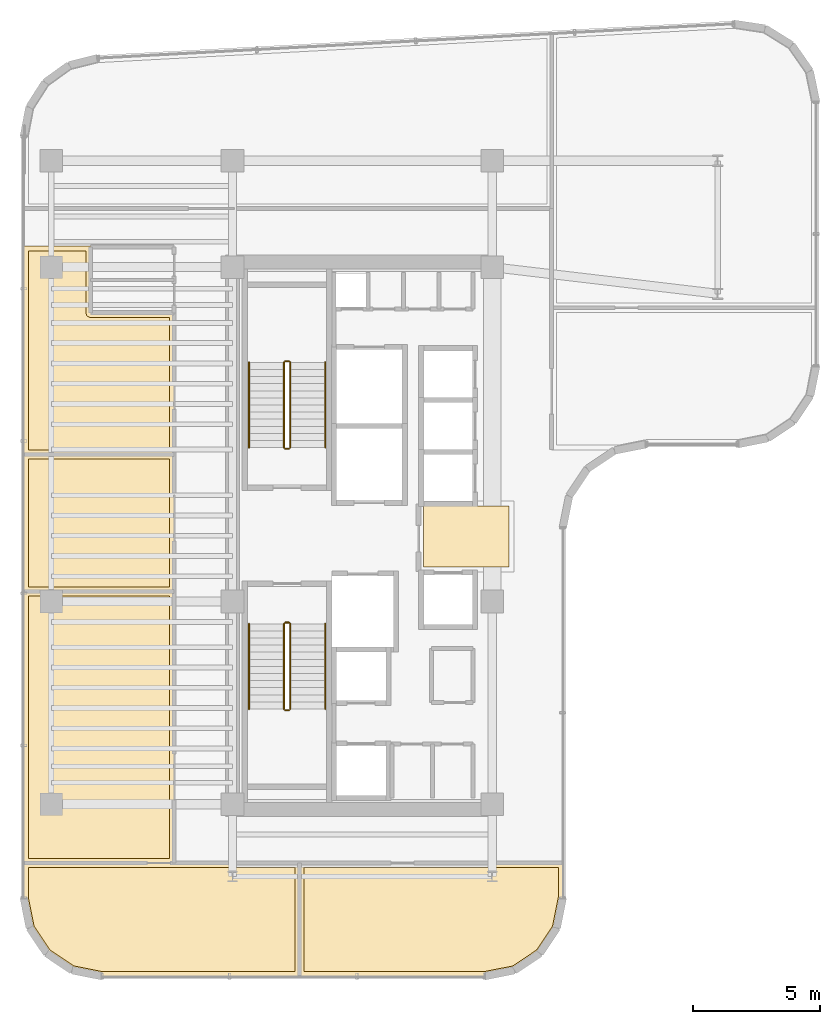
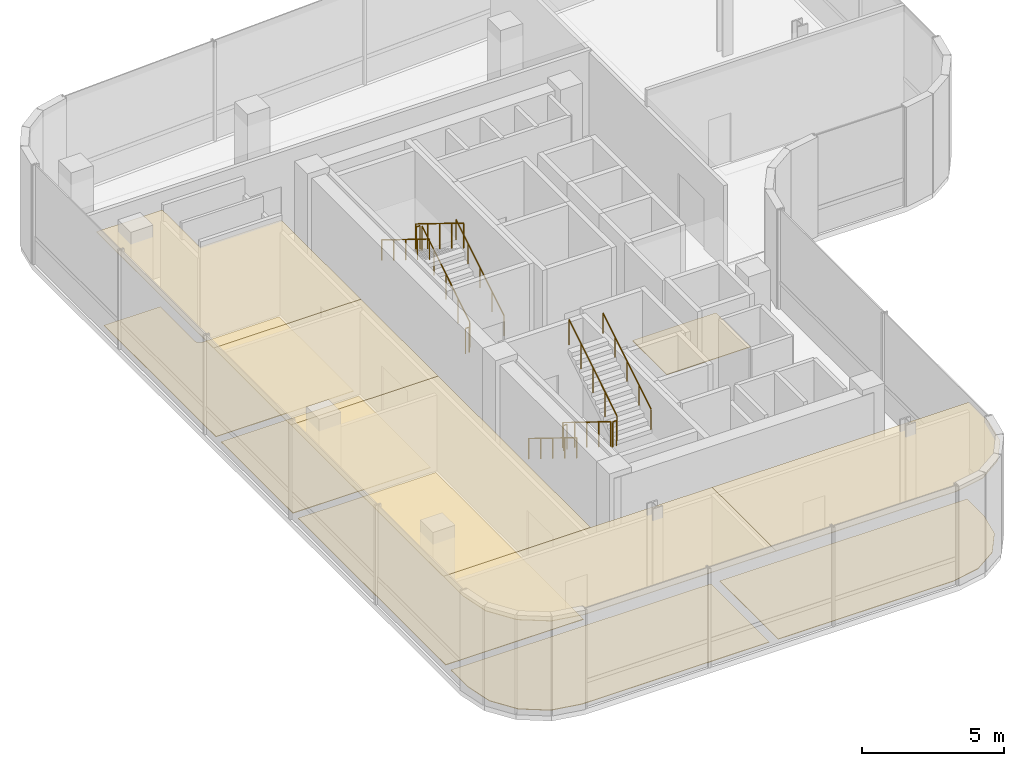
# One storey, part 16 of 17: 12 railings, 11 coverings.
"""IFC4 building model written with IfcOpenShell, lengths in metres."""

import ifcopenshell
import ifcopenshell.guid

model = None  # the IFC model being written
_history = None  # IfcOwnerHistory: only IFC2X3 demands one
_inside = {}  # id of a spatial element -> (the spatial element, [elements in it])
_under = {}  # id of a project, library or spatial element -> (it, [spatial elements below it])
_declared = {}  # id of a project -> (the project, [libraries it declares])
_typed = {}  # id of a type object -> (the type object, [elements of that type])
_made_of = {}  # id of a material, layer set ... -> (it, [elements and type objects made of it])


def new_model(schema):
    """Start an empty IFC model of exactly this schema.

    Asked for "IFC4X3", IfcOpenShell would pick the latest addendum, in which some entities
    have other attributes; the version numbers below select the first issue.
    IFC2X3 requires an IfcOwnerHistory on every rooted entity: one is made here for all.
    """
    global model, _history
    if schema == "IFC4X3":
        model = ifcopenshell.file(schema_version=(4, 3, 0, 0))
    else:
        model = ifcopenshell.file(schema=schema)
    _inside.clear()
    _under.clear()
    _declared.clear()
    _typed.clear()
    _made_of.clear()
    _history = None
    if model.schema == "IFC2X3":
        org = make("IfcOrganization", Name="unknown")
        user = make(
            "IfcPersonAndOrganization",
            ThePerson=make("IfcPerson", FamilyName="unknown"),
            TheOrganization=org,
        )
        app = make(
            "IfcApplication",
            ApplicationDeveloper=org,
            Version="unknown",
            ApplicationFullName="unknown",
            ApplicationIdentifier="unknown",
        )
        _history = make(
            "IfcOwnerHistory",
            OwningUser=user,
            OwningApplication=app,
            ChangeAction="ADDED",
            CreationDate=0,
        )
    return model


def make(cls, **values):
    """One entity of the class cls with the attributes given. An attribute that is None is left unset."""
    return model.create_entity(
        cls, **{name: value for name, value in values.items() if value is not None}
    )


def rooted(cls, **values):
    """An entity with a GlobalId (a new one), such as an element, a storey or a relation."""
    return make(cls, GlobalId=ifcopenshell.guid.new(), OwnerHistory=_history, **values)


def si_unit(unit_type, name, prefix=None):
    """IfcSIUnit, for example si_unit("LENGTHUNIT", "METRE", prefix="MILLI")."""
    return make("IfcSIUnit", UnitType=unit_type, Prefix=prefix, Name=name)


def assignment(units):
    """IfcUnitAssignment: the units of a project."""
    return None if units is None else make("IfcUnitAssignment", Units=units)


def point(xyz):
    """IfcCartesianPoint."""
    return None if xyz is None else make("IfcCartesianPoint", Coordinates=xyz)


def direction(xyz):
    """IfcDirection."""
    return None if xyz is None else make("IfcDirection", DirectionRatios=xyz)


def frame(location, z_axis=None, x_axis=None):
    """IfcAxis2Placement3D, a coordinate frame: its origin and axes. An axis left out is left unset."""
    return make(
        "IfcAxis2Placement3D",
        Location=point(location),
        Axis=direction(z_axis),
        RefDirection=direction(x_axis),
    )


def frame_2d(location, x_axis=None):
    """IfcAxis2Placement2D, a coordinate frame in the plane: its origin and x axis."""
    return make(
        "IfcAxis2Placement2D", Location=point(location), RefDirection=direction(x_axis)
    )


def origin():
    """The frame at (0, 0, 0) with its axes left unset."""
    return frame((0.0, 0.0, 0.0))


def origin_2d():
    """The frame at (0, 0) in the plane with its x axis left unset."""
    return frame_2d((0.0, 0.0))


def place(relative_to, where):
    """IfcLocalPlacement: puts the frame where relative to a parent placement (None: the world)."""
    return make(
        "IfcLocalPlacement", PlacementRelTo=relative_to, RelativePlacement=where
    )


def context(
    kind, dimensions, precision=None, world=None, true_north=None, identifier=None
):
    """IfcGeometricRepresentationContext, for example the 3D "Model" context."""
    return make(
        "IfcGeometricRepresentationContext",
        ContextIdentifier=identifier,
        ContextType=kind,
        CoordinateSpaceDimension=dimensions,
        Precision=precision,
        WorldCoordinateSystem=world,
        TrueNorth=true_north,
    )


def subcontext(parent, identifier, kind, view, scale=None):
    """IfcGeometricRepresentationSubContext, for example "Body" below "Model"."""
    return make(
        "IfcGeometricRepresentationSubContext",
        ContextIdentifier=identifier,
        ContextType=kind,
        ParentContext=parent,
        TargetScale=scale,
        TargetView=view,
    )


def project(units=None, contexts=None):
    """IfcProject with its units and contexts."""
    return rooted(
        "IfcProject",
        Name="project",
        RepresentationContexts=contexts,
        UnitsInContext=assignment(units),
    )


def spatial(cls, under=None, at=None, **own):
    """A site, building, storey or space (cls), placed at a placement, below another one or the project."""
    s = rooted(cls, ObjectPlacement=at, **own)
    if under is not None:
        _under.setdefault(under.id(), (under, []))[1].append(s)
    return s


def polyline(points):
    """IfcPolyline through the points."""
    return make("IfcPolyline", Points=[point(p) for p in points])


def profile(cls, at=None, kind="AREA", **sizes):
    """A parametric profile (cls). Its sizes go by their IFC names, for example OverallWidth=200.0."""
    return make(cls, ProfileType=kind, Position=at, **sizes)


def circle(**sizes):
    """IfcCircleProfileDef."""
    return profile("IfcCircleProfileDef", **sizes)


def outline(outer, holes=None, kind="AREA"):
    """IfcArbitraryClosedProfileDef: a profile drawn as a closed curve; with holes, ...WithVoids."""
    if holes is None:
        return make("IfcArbitraryClosedProfileDef", ProfileType=kind, OuterCurve=outer)
    return make(
        "IfcArbitraryProfileDefWithVoids",
        ProfileType=kind,
        OuterCurve=outer,
        InnerCurves=holes,
    )


def extrude(swept, where, along, depth):
    """IfcExtrudedAreaSolid: the profile swept, set in the frame where, extruded along a direction by depth."""
    return make(
        "IfcExtrudedAreaSolid",
        SweptArea=swept,
        Position=where,
        ExtrudedDirection=direction(along),
        Depth=depth,
    )


def shape(context_of_items, identifier, shape_type, items):
    """IfcShapeRepresentation: the items that make up one representation, for example the "Body"."""
    return make(
        "IfcShapeRepresentation",
        ContextOfItems=context_of_items,
        RepresentationIdentifier=identifier,
        RepresentationType=shape_type,
        Items=items,
    )


def material(Name=None, Category=None):
    """IfcMaterial."""
    return make("IfcMaterial", Name=Name, Category=Category)


def layer(
    of_material, thickness, ventilated=None, Name=None, Category=None, Priority=None
):
    """IfcMaterialLayer: one layer of a wall or slab, of a material (None: an air gap)."""
    return make(
        "IfcMaterialLayer",
        Material=of_material,
        LayerThickness=thickness,
        IsVentilated=ventilated,
        Name=Name,
        Category=Category,
        Priority=Priority,
    )


def layer_set(layers, Name=None):
    """IfcMaterialLayerSet."""
    return make("IfcMaterialLayerSet", MaterialLayers=layers, LayerSetName=Name)


def made_of(thing, what):
    """Note that an element or type object is made of a material, layer set ...; save() writes the relation."""
    if what is not None:
        _made_of.setdefault(what.id(), (what, []))[1].append(thing)
    return thing


def type_object(cls, material=None, **own):
    """A type object (cls), such as IfcWallType, which elements share."""
    return made_of(rooted(cls, **own), material)


def element(
    cls,
    number,
    at=None,
    inside=None,
    cuts=None,
    type_object=None,
    material=None,
    context=None,
    identifier="Body",
    shape_type=None,
    held_by="IfcProductDefinitionShape",
    body=None,
    shapes=None,
    **own,
):
    """One element of the class cls, such as IfcWall. Its Tag is "e" and its number.

    at: its placement. inside: the storey or other place that contains it. cuts: it is an
    opening in that element (IfcRelVoidsElement). A single representation is given by context,
    identifier, shape_type and body (its items); several are given by shapes. held_by: the class
    of the entity that holds the representations. save() writes the other relations.
    """
    e = rooted(cls, Tag="e%d" % number, ObjectPlacement=at, **own)
    if body is not None:
        shapes = [shape(context, identifier, shape_type, body)]
    if shapes is not None:
        e.Representation = make(held_by, Representations=shapes)
    if inside is not None:
        _inside.setdefault(inside.id(), (inside, []))[1].append(e)
    if cuts is not None:
        rooted(
            "IfcRelVoidsElement", RelatingBuildingElement=cuts, RelatedOpeningElement=e
        )
    if type_object is not None:
        _typed.setdefault(type_object.id(), (type_object, []))[1].append(e)
    return made_of(e, material)


def aggregate(whole, parts):
    """IfcRelAggregates: a whole, such as a stair, and the parts it consists of."""
    return rooted("IfcRelAggregates", RelatingObject=whole, RelatedObjects=parts)


def save(model, path):
    """Write the relations noted so far, then the file.

    IfcRelAggregates (storeys below a building ...), IfcRelContainedInSpatialStructure (elements
    in a storey), IfcRelDefinesByType, IfcRelAssociatesMaterial and IfcRelDeclares: one each for
    every whole, place, type object, material and project.
    """
    for whole, parts in _under.values():
        aggregate(whole, parts)
    for where, things in _inside.values():
        rooted(
            "IfcRelContainedInSpatialStructure",
            RelatedElements=things,
            RelatingStructure=where,
        )
    for kind, things in _typed.values():
        rooted("IfcRelDefinesByType", RelatedObjects=things, RelatingType=kind)
    for what, things in _made_of.values():
        rooted("IfcRelAssociatesMaterial", RelatedObjects=things, RelatingMaterial=what)
    for by, libraries in _declared.values():
        rooted("IfcRelDeclares", RelatingContext=by, RelatedDefinitions=libraries)
    model.write(path)


model = new_model("IFC4")

# Units and contexts
model_context = context("Model", 3, precision=1e-05, world=origin(), true_north=direction((0.0, 1.0)))
body_context = subcontext(model_context, "Body", "Model", "MODEL_VIEW")
ifc_project = project(units=[si_unit("LENGTHUNIT", "METRE"), si_unit("AREAUNIT", "SQUARE_METRE"), si_unit("VOLUMEUNIT", "CUBIC_METRE"), si_unit("PLANEANGLEUNIT", "RADIAN"), si_unit("MASSUNIT", "GRAM", prefix="KILO")], contexts=[model_context])

# Site, building, storey
site_placement = place(None, origin())
site = spatial("IfcSite", under=ifc_project, at=site_placement, CompositionType="ELEMENT")
building_placement = place(site_placement, origin())
building = spatial("IfcBuilding", under=site, at=building_placement, Name="Valdorenza Pilgrim Sanctuary Tower", CompositionType="ELEMENT")
storey_placement = place(building_placement, frame((0.0, 0.0, 201.0)))
storey = spatial("IfcBuildingStorey", under=building, at=storey_placement, Name="L51", CompositionType="ELEMENT", Elevation=201.0)

# Coverings
ifc_material_1 = material(Name="Micro-perforated acoustic mineral ceiling tile", Category="gypsum")
ifc_layer_1 = layer(ifc_material_1, 0.02490234375, Name="Micro-perforated acoustic mineral ceiling tile")
ifc_layer_set_1 = layer_set([ifc_layer_1], Name="Micro-perforated acoustic mineral ceiling tile")
covering_type_1 = type_object("IfcCoveringType", Name="COV-CLG-ACU", PredefinedType="CEILING", material=ifc_layer_set_1)
covering_1_placement = place(storey_placement, frame((0.0, 0.0, 3.9599609375)))
element("IfcCovering", 1, at=covering_1_placement, inside=storey, type_object=covering_type_1, Name="L51 L51 Sky Lobby Lounge Acoustic Ceiling", PredefinedType="CEILING", context=body_context, shape_type="SweptSolid", body=[
    extrude(outline(polyline([(-24.93505859375, -12.919921875), (-24.93505859375, -12.92138671875), (-24.935302734375, -12.9228515625), (-24.935546875, -12.92431640625), (-24.93603515625, -12.92578125), (-24.936767578125, -12.927001953125), (-24.9375, -12.92822265625), (-24.9384765625, -12.929443359375), (-24.939453125, -12.9306640625), (-24.9404296875, -12.931640625), (-24.941650390625, -12.9326171875), (-24.94287109375, -12.93310546875), (-24.9443359375, -12.933837890625), (-24.945556640625, -12.934326171875), (-24.947021484375, -12.934814453125), (-24.948486328125, -12.934814453125), (-24.949951171875, -12.93505859375), (-30.889892578125, -12.93505859375), (-30.8916015625, -12.934814453125), (-30.892822265625, -12.934814453125), (-30.894287109375, -12.934326171875), (-30.895751953125, -12.933837890625), (-30.897216796875, -12.93310546875), (-30.898193359375, -12.9326171875), (-30.8994140625, -12.931640625), (-30.900634765625, -12.9306640625), (-30.901611328125, -12.929443359375), (-30.902587890625, -12.92822265625), (-30.9033203125, -12.927001953125), (-30.90380859375, -12.92578125), (-30.904296875, -12.92431640625), (-30.90478515625, -12.9228515625), (-30.90478515625, -12.92138671875), (-30.905029296875, -12.919921875), (-30.905029296875, -2.199951171875), (-30.90478515625, -2.198486328125), (-30.90478515625, -2.197021484375), (-30.904296875, -2.195556640625), (-30.90380859375, -2.1943359375), (-30.9033203125, -2.19287109375), (-30.902587890625, -2.191650390625), (-30.901611328125, -2.1904296875), (-30.900634765625, -2.189453125), (-30.8994140625, -2.1884765625), (-30.898193359375, -2.1875), (-30.897216796875, -2.186767578125), (-30.895751953125, -2.18603515625), (-30.894287109375, -2.185546875), (-30.892822265625, -2.185302734375), (-30.8916015625, -2.18505859375), (-30.889892578125, -2.18505859375), (-24.949951171875, -2.18505859375), (-24.948486328125, -2.18505859375), (-24.947021484375, -2.185302734375), (-24.945556640625, -2.185546875), (-24.9443359375, -2.18603515625), (-24.94287109375, -2.186767578125), (-24.941650390625, -2.1875), (-24.9404296875, -2.1884765625), (-24.939453125, -2.189453125), (-24.9384765625, -2.1904296875), (-24.9375, -2.191650390625), (-24.936767578125, -2.19287109375), (-24.93603515625, -2.1943359375), (-24.935546875, -2.195556640625), (-24.935302734375, -2.197021484375), (-24.93505859375, -2.198486328125), (-24.93505859375, -2.199951171875), (-24.93505859375, -12.919921875)])), origin(), (0.0, 0.0, 1.0), 0.025146484375),
])
covering_2_placement = place(storey_placement, frame((0.0, 0.0, 3.9599609375)))
element("IfcCovering", 2, at=covering_2_placement, inside=storey, type_object=covering_type_1, Name="L51 Sacred Archive Reading Library Acoustic Ceiling", PredefinedType="CEILING", context=body_context, shape_type="SweptSolid", body=[
    extrude(outline(polyline([(-24.93505859375, -2.197998046875), (-24.93505859375, -2.199462890625), (-24.935302734375, -2.200927734375), (-24.935546875, -2.202392578125), (-24.93603515625, -2.20361328125), (-24.936767578125, -2.205078125), (-24.9375, -2.206298828125), (-24.9384765625, -2.20751953125), (-24.939453125, -2.20849609375), (-24.9404296875, -2.209716796875), (-24.941650390625, -2.21044921875), (-24.94287109375, -2.211181640625), (-24.9443359375, -2.2119140625), (-24.945556640625, -2.21240234375), (-24.947021484375, -2.212646484375), (-24.948486328125, -2.212890625), (-24.949951171875, -2.212890625), (-30.889892578125, -2.212890625), (-30.8916015625, -2.212890625), (-30.892822265625, -2.212646484375), (-30.894287109375, -2.21240234375), (-30.895751953125, -2.2119140625), (-30.897216796875, -2.211181640625), (-30.898193359375, -2.21044921875), (-30.8994140625, -2.209716796875), (-30.900634765625, -2.20849609375), (-30.901611328125, -2.20751953125), (-30.902587890625, -2.206298828125), (-30.9033203125, -2.205078125), (-30.90380859375, -2.20361328125), (-30.904296875, -2.202392578125), (-30.90478515625, -2.200927734375), (-30.90478515625, -2.199462890625), (-30.905029296875, -2.197998046875), (-30.905029296875, 3.199951171875), (-30.90478515625, 3.201416015625), (-30.90478515625, 3.202880859375), (-30.904296875, 3.204345703125), (-30.90380859375, 3.205810546875), (-30.9033203125, 3.20703125), (-30.902587890625, 3.208251953125), (-30.901611328125, 3.20947265625), (-30.900634765625, 3.210693359375), (-30.8994140625, 3.211669921875), (-30.898193359375, 3.21240234375), (-30.897216796875, 3.213134765625), (-30.895751953125, 3.2138671875), (-30.894287109375, 3.21435546875), (-30.892822265625, 3.214599609375), (-30.8916015625, 3.21484375), (-30.889892578125, 3.215087890625), (-24.949951171875, 3.215087890625), (-24.948486328125, 3.21484375), (-24.947021484375, 3.214599609375), (-24.945556640625, 3.21435546875), (-24.9443359375, 3.2138671875), (-24.94287109375, 3.213134765625), (-24.941650390625, 3.21240234375), (-24.9404296875, 3.211669921875), (-24.939453125, 3.210693359375), (-24.9384765625, 3.20947265625), (-24.9375, 3.208251953125), (-24.936767578125, 3.20703125), (-24.93603515625, 3.205810546875), (-24.935546875, 3.204345703125), (-24.935302734375, 3.202880859375), (-24.93505859375, 3.201416015625), (-24.93505859375, 3.199951171875), (-24.93505859375, -2.197998046875)])), origin(), (0.0, 0.0, 1.0), 0.025146484375),
])
covering_3_placement = place(storey_placement, frame((0.0, 0.0, 3.9599609375)))
element("IfcCovering", 3, at=covering_3_placement, inside=storey, type_object=covering_type_1, Name="L51 Sky Concierge Hospitality Office Acoustic Ceiling", PredefinedType="CEILING", context=body_context, shape_type="SweptSolid", body=[
    extrude(outline(polyline([(-28.237060546875, 8.81298828125), (-24.949951171875, 8.81298828125), (-24.948486328125, 8.81298828125), (-24.947021484375, 8.812744140625), (-24.945556640625, 8.8125), (-24.9443359375, 8.81201171875), (-24.94287109375, 8.811279296875), (-24.941650390625, 8.810546875), (-24.9404296875, 8.8095703125), (-24.939453125, 8.80859375), (-24.9384765625, 8.8076171875), (-24.9375, 8.806396484375), (-24.936767578125, 8.80517578125), (-24.93603515625, 8.8037109375), (-24.935546875, 8.802490234375), (-24.935302734375, 8.80078125), (-24.93505859375, 8.799560546875), (-24.93505859375, 8.798095703125), (-24.93505859375, 3.201904296875), (-24.93505859375, 3.200439453125), (-24.935302734375, 3.19921875), (-24.935546875, 3.197509765625), (-24.93603515625, 3.1962890625), (-24.936767578125, 3.19482421875), (-24.9375, 3.193603515625), (-24.9384765625, 3.1923828125), (-24.939453125, 3.19140625), (-24.9404296875, 3.1904296875), (-24.941650390625, 3.189453125), (-24.94287109375, 3.188720703125), (-24.9443359375, 3.18798828125), (-24.945556640625, 3.1875), (-24.947021484375, 3.187255859375), (-24.948486328125, 3.18701171875), (-24.949951171875, 3.18701171875), (-30.889892578125, 3.18701171875), (-30.8916015625, 3.18701171875), (-30.892822265625, 3.187255859375), (-30.894287109375, 3.1875), (-30.895751953125, 3.18798828125), (-30.897216796875, 3.188720703125), (-30.898193359375, 3.189453125), (-30.8994140625, 3.1904296875), (-30.900634765625, 3.19140625), (-30.901611328125, 3.1923828125), (-30.902587890625, 3.193603515625), (-30.9033203125, 3.19482421875), (-30.90380859375, 3.1962890625), (-30.904296875, 3.197509765625), (-30.90478515625, 3.19921875), (-30.90478515625, 3.200439453125), (-30.905029296875, 3.201904296875), (-30.905029296875, 11.419921875), (-30.90478515625, 11.42138671875), (-30.90478515625, 11.4228515625), (-30.904296875, 11.42431640625), (-30.90380859375, 11.42578125), (-30.9033203125, 11.427001953125), (-30.902587890625, 11.42822265625), (-30.901611328125, 11.429443359375), (-30.900634765625, 11.4306640625), (-30.8994140625, 11.431640625), (-30.898193359375, 11.4326171875), (-30.897216796875, 11.43310546875), (-30.895751953125, 11.433837890625), (-30.894287109375, 11.434326171875), (-30.892822265625, 11.434814453125), (-30.8916015625, 11.434814453125), (-30.889892578125, 11.43505859375), (-28.25, 11.43505859375), (-28.24853515625, 11.434814453125), (-28.2470703125, 11.434814453125), (-28.24560546875, 11.434326171875), (-28.244384765625, 11.433837890625), (-28.242919921875, 11.43310546875), (-28.24169921875, 11.4326171875), (-28.240478515625, 11.431640625), (-28.239501953125, 11.4306640625), (-28.23828125, 11.429443359375), (-28.237548828125, 11.42822265625), (-28.23681640625, 11.427001953125), (-28.236083984375, 11.42578125), (-28.235595703125, 11.42431640625), (-28.2353515625, 11.4228515625), (-28.235107421875, 11.42138671875), (-28.235107421875, 11.419921875), (-28.235107421875, 11.402099609375), (-28.235107421875, 11.400390625), (-28.2353515625, 11.39892578125), (-28.235595703125, 11.3974609375), (-28.236083984375, 11.39599609375), (-28.23681640625, 11.394775390625), (-28.237060546875, 11.39453125), (-28.237060546875, 10.103759765625), (-28.23681640625, 10.10302734375), (-28.23681640625, 10.1015625), (-28.23681640625, 10.10009765625), (-28.23681640625, 10.098388671875), (-28.237060546875, 10.09814453125), (-28.237060546875, 8.81298828125)])), origin(), (0.0, 0.0, 1.0), 0.025146484375),
])
covering_4_placement = place(storey_placement, frame((0.0, 0.0, 3.9599609375)))
element("IfcCovering", 4, at=covering_4_placement, inside=storey, type_object=covering_type_1, Name="L51 South Panoramic Viewing Salon Acoustic Ceiling", PredefinedType="CEILING", context=body_context, shape_type="SweptSolid", body=[
    extrude(outline(polyline([(-24.955322265625, -12.906982421875), (-24.954833984375, -12.90673828125), (-24.95361328125, -12.906005859375), (-24.9521484375, -12.905517578125), (-24.95068359375, -12.9052734375), (-24.949462890625, -12.905029296875), (-24.947998046875, -12.905029296875), (-20.0, -12.905029296875), (-19.99853515625, -12.905029296875), (-19.9970703125, -12.9052734375), (-19.99560546875, -12.905517578125), (-19.994384765625, -12.906005859375), (-19.992919921875, -12.90673828125), (-19.99169921875, -12.907470703125), (-19.990478515625, -12.908447265625), (-19.989501953125, -12.909423828125), (-19.98828125, -12.910400390625), (-19.987548828125, -12.91162109375), (-19.98681640625, -12.912841796875), (-19.986083984375, -12.914306640625), (-19.985595703125, -12.91552734375), (-19.9853515625, -12.9169921875), (-19.985107421875, -12.91845703125), (-19.985107421875, -12.919921875), (-19.985107421875, -17.389892578125), (-19.985107421875, -17.3916015625), (-19.9853515625, -17.392822265625), (-19.985595703125, -17.394287109375), (-19.986083984375, -17.395751953125), (-19.98681640625, -17.397216796875), (-19.987548828125, -17.398193359375), (-19.98828125, -17.3994140625), (-19.989501953125, -17.400634765625), (-19.990478515625, -17.401611328125), (-19.99169921875, -17.402587890625), (-19.992919921875, -17.4033203125), (-19.994384765625, -17.40380859375), (-19.99560546875, -17.404296875), (-19.9970703125, -17.40478515625), (-19.99853515625, -17.40478515625), (-20.0, -17.405029296875), (-27.789306640625, -17.405029296875), (-27.79052734375, -17.40478515625), (-27.7919921875, -17.40478515625), (-28.984619140625, -17.16748046875), (-28.986083984375, -17.1669921875), (-28.9873046875, -17.16650390625), (-28.98876953125, -17.166015625), (-28.989990234375, -17.165283203125), (-29.99169921875, -16.495849609375), (-29.992919921875, -16.4951171875), (-29.993896484375, -16.493896484375), (-29.9951171875, -16.492919921875), (-29.995849609375, -16.49169921875), (-30.665283203125, -15.489990234375), (-30.666015625, -15.48876953125), (-30.66650390625, -15.4873046875), (-30.6669921875, -15.486083984375), (-30.66748046875, -15.484619140625), (-30.90478515625, -14.2919921875), (-30.90478515625, -14.29052734375), (-30.905029296875, -14.289306640625), (-30.905029296875, -12.922119140625), (-30.90478515625, -12.92041015625), (-30.90478515625, -12.919189453125), (-30.904296875, -12.91748046875), (-30.90380859375, -12.916259765625), (-30.9033203125, -12.914794921875), (-30.902587890625, -12.913818359375), (-30.901611328125, -12.91259765625), (-30.900634765625, -12.911376953125), (-30.8994140625, -12.910400390625), (-30.898193359375, -12.909423828125), (-30.897216796875, -12.90869140625), (-30.895751953125, -12.908203125), (-30.894287109375, -12.90771484375), (-30.892822265625, -12.9072265625), (-30.8916015625, -12.906982421875), (-30.889892578125, -12.906982421875), (-24.955322265625, -12.906982421875)])), origin(), (0.0, 0.0, 1.0), 0.025146484375),
])
covering_5_placement = place(storey_placement, frame((0.0, 0.0, 3.9599609375)))
element("IfcCovering", 5, at=covering_5_placement, inside=storey, type_object=covering_type_1, Name="L51 South Contemplation Lounge Acoustic Ceiling", PredefinedType="CEILING", context=body_context, shape_type="SweptSolid", body=[
    extrude(outline(polyline([(-9.610107421875, -12.905029296875), (-9.6083984375, -12.905029296875), (-9.607177734375, -12.9052734375), (-9.605712890625, -12.905517578125), (-9.604248046875, -12.906005859375), (-9.602783203125, -12.90673828125), (-9.601806640625, -12.907470703125), (-9.6005859375, -12.908447265625), (-9.599365234375, -12.909423828125), (-9.598388671875, -12.910400390625), (-9.597412109375, -12.91162109375), (-9.5966796875, -12.912841796875), (-9.59619140625, -12.914306640625), (-9.595703125, -12.91552734375), (-9.59521484375, -12.9169921875), (-9.59521484375, -12.91845703125), (-9.594970703125, -12.919921875), (-9.594970703125, -14.289306640625), (-9.59521484375, -14.29052734375), (-9.59521484375, -14.2919921875), (-9.83251953125, -15.484619140625), (-9.8330078125, -15.486083984375), (-9.83349609375, -15.4873046875), (-9.833984375, -15.48876953125), (-9.834716796875, -15.489990234375), (-10.504150390625, -16.49169921875), (-10.5048828125, -16.492919921875), (-10.506103515625, -16.493896484375), (-10.507080078125, -16.4951171875), (-10.50830078125, -16.495849609375), (-11.510009765625, -17.165283203125), (-11.51123046875, -17.166015625), (-11.5126953125, -17.16650390625), (-11.513916015625, -17.1669921875), (-11.515380859375, -17.16748046875), (-12.7080078125, -17.40478515625), (-12.70947265625, -17.40478515625), (-12.710693359375, -17.405029296875), (-19.998046875, -17.405029296875), (-19.99951171875, -17.40478515625), (-20.0009765625, -17.40478515625), (-20.00244140625, -17.404296875), (-20.003662109375, -17.40380859375), (-20.005126953125, -17.4033203125), (-20.00634765625, -17.402587890625), (-20.007568359375, -17.401611328125), (-20.008544921875, -17.400634765625), (-20.009521484375, -17.3994140625), (-20.010498046875, -17.398193359375), (-20.01123046875, -17.397216796875), (-20.011962890625, -17.395751953125), (-20.012451171875, -17.394287109375), (-20.0126953125, -17.392822265625), (-20.012939453125, -17.3916015625), (-20.012939453125, -17.389892578125), (-20.012939453125, -12.919921875), (-20.012939453125, -12.91845703125), (-20.0126953125, -12.9169921875), (-20.012451171875, -12.91552734375), (-20.011962890625, -12.914306640625), (-20.01123046875, -12.912841796875), (-20.010498046875, -12.91162109375), (-20.009521484375, -12.910400390625), (-20.008544921875, -12.909423828125), (-20.007568359375, -12.908447265625), (-20.00634765625, -12.907470703125), (-20.005126953125, -12.90673828125), (-20.003662109375, -12.906005859375), (-20.00244140625, -12.905517578125), (-20.0009765625, -12.9052734375), (-19.99951171875, -12.905029296875), (-19.998046875, -12.905029296875), (-9.610107421875, -12.905029296875)])), origin(), (0.0, 0.0, 1.0), 0.025146484375),
])
ifc_material_2 = material(Name="Honed travertine stone flooring", Category="masonry")
ifc_layer_2 = layer(ifc_material_2, 0.030029296875, Name="Honed travertine stone flooring")
ifc_layer_set_2 = layer_set([ifc_layer_2], Name="Honed travertine stone flooring")
covering_type_2 = type_object("IfcCoveringType", Name="COV-FLR-TRV", PredefinedType="FLOORING", material=ifc_layer_set_2)
covering_6_placement = place(storey_placement, origin())
element("IfcCovering", 6, at=covering_6_placement, inside=storey, type_object=covering_type_2, Name="L51 Core A Passenger Lift Lobby Flooring", PredefinedType="FLOORING", context=body_context, shape_type="SweptSolid", body=[
    extrude(outline(polyline([(-15.117919921875, 1.169189453125), (-15.10888671875, 1.168212890625), (-15.10888671875, 1.168212890625), (-15.10009765625, 1.16796875), (-13.179931640625, 1.16796875), (-13.1796875, 1.16796875), (-11.72998046875, 1.169921875), (-11.72998046875, -1.239990234375), (-15.117919921875, -1.239990234375), (-15.117919921875, 1.169189453125)])), origin(), (0.0, 0.0, 1.0), 0.02490234375),
])
covering_7_placement = place(storey_placement, origin())
element("IfcCovering", 7, at=covering_7_placement, inside=storey, type_object=covering_type_2, Name="L51 L51 Sky Lobby Lounge Flooring", PredefinedType="FLOORING", context=body_context, shape_type="SweptSolid", body=[
    extrude(outline(polyline([(-25.1298828125, -12.739990234375), (-30.7099609375, -12.739990234375), (-30.7099609375, -2.3798828125), (-25.1298828125, -2.3798828125), (-25.1298828125, -12.739990234375)])), origin(), (0.0, 0.0, 1.0), 0.02490234375),
])
covering_8_placement = place(storey_placement, origin())
element("IfcCovering", 8, at=covering_8_placement, inside=storey, type_object=covering_type_2, Name="L51 Sacred Archive Reading Library Flooring", PredefinedType="FLOORING", context=body_context, shape_type="SweptSolid", body=[
    extrude(outline(polyline([(-25.1298828125, -2.01806640625), (-30.7099609375, -2.01806640625), (-30.7099609375, 3.02001953125), (-25.1298828125, 3.02001953125), (-25.1298828125, -2.01806640625)])), origin(), (0.0, 0.0, 1.0), 0.02490234375),
])
covering_9_placement = place(storey_placement, origin())
element("IfcCovering", 9, at=covering_9_placement, inside=storey, type_object=covering_type_2, Name="L51 Sky Concierge Hospitality Office Flooring", PredefinedType="FLOORING", context=body_context, shape_type="SweptSolid", body=[
    extrude(outline(polyline([(-28.431884765625, 11.239990234375), (-28.431884765625, 10.10205078125), (-28.431884765625, 10.10107421875), (-28.431884765625, 10.100341796875), (-28.431884765625, 10.10009765625), (-28.431884765625, 8.800048828125), (-28.431884765625, 8.791259765625), (-28.431884765625, 8.791015625), (-28.429931640625, 8.7734375), (-28.429931640625, 8.773193359375), (-28.426513671875, 8.755859375), (-28.426513671875, 8.755615234375), (-28.42138671875, 8.73876953125), (-28.42138671875, 8.738525390625), (-28.41455078125, 8.722412109375), (-28.41455078125, 8.72216796875), (-28.40625, 8.70654296875), (-28.406005859375, 8.706298828125), (-28.396240234375, 8.691650390625), (-28.39599609375, 8.69140625), (-28.385009765625, 8.677978515625), (-28.384765625, 8.677734375), (-28.372314453125, 8.665283203125), (-28.3720703125, 8.6650390625), (-28.3583984375, 8.65380859375), (-28.3583984375, 8.65380859375), (-28.343505859375, 8.643798828125), (-28.343505859375, 8.643798828125), (-28.327880859375, 8.635498046875), (-28.32763671875, 8.635498046875), (-28.311279296875, 8.628662109375), (-28.311279296875, 8.628662109375), (-28.294189453125, 8.62353515625), (-28.294189453125, 8.623291015625), (-28.27685546875, 8.6201171875), (-28.276611328125, 8.6201171875), (-28.259033203125, 8.6181640625), (-28.2587890625, 8.6181640625), (-28.25, 8.617919921875), (-25.1298828125, 8.617919921875), (-25.1298828125, 3.382080078125), (-30.7099609375, 3.382080078125), (-30.7099609375, 11.239990234375), (-28.431884765625, 11.239990234375)])), origin(), (0.0, 0.0, 1.0), 0.02490234375),
])
covering_10_placement = place(storey_placement, origin())
element("IfcCovering", 10, at=covering_10_placement, inside=storey, type_object=covering_type_2, Name="L51 South Panoramic Viewing Salon Flooring", PredefinedType="FLOORING", context=body_context, shape_type="SweptSolid", body=[
    extrude(outline(polyline([(-20.179931640625, -17.2099609375), (-27.771484375, -17.2099609375), (-28.911376953125, -16.983154296875), (-29.853515625, -16.353515625), (-30.483154296875, -15.411376953125), (-30.7099609375, -14.271484375), (-30.7099609375, -13.10205078125), (-24.949951171875, -13.10205078125), (-20.179931640625, -13.10009765625), (-20.179931640625, -17.2099609375)])), origin(), (0.0, 0.0, 1.0), 0.02490234375),
])
covering_11_placement = place(storey_placement, origin())
element("IfcCovering", 11, at=covering_11_placement, inside=storey, type_object=covering_type_2, Name="L51 South Contemplation Lounge Flooring", PredefinedType="FLOORING", context=body_context, shape_type="SweptSolid", body=[
    extrude(outline(polyline([(-9.7900390625, -13.10009765625), (-9.7900390625, -14.271484375), (-10.016845703125, -15.411376953125), (-10.646484375, -16.353515625), (-11.588623046875, -16.983154296875), (-12.728515625, -17.2099609375), (-19.818115234375, -17.2099609375), (-19.818115234375, -13.10009765625), (-9.7900390625, -13.10009765625)])), origin(), (0.0, 0.0, 1.0), 0.02490234375),
])

# Railings
ifc_material_3 = material(Name="Stainless steel Grade 316", Category="steel")
railing_type_1 = type_object("IfcRailingType", Name="RLG-GRD-1120", PredefinedType="GUARDRAIL", material=ifc_material_3)
railing_1_placement = place(storey_placement, frame((-20.3701171875, 3.47998046875, 0.173095703125)))
element("IfcRailing", 12, at=railing_1_placement, inside=storey, type_object=railing_type_1, Name="L51 ST-A1 stair guard 1", PredefinedType="GUARDRAIL", context=body_context, shape_type="SweptSolid", body=[
    extrude(circle(Radius=0.02392578125, at=origin_2d()), frame((0.0, 0.0, 1.076171875), z_axis=(0.0, 0.850623216509, 0.525775754039), x_axis=(-1.0, 0.0, 0.0)), (0.0, 0.0, 1.0), 3.9501953125),
    extrude(circle(Radius=0.02099609375, at=origin_2d()), origin(), (0.0, 0.0, 1.0), 1.052001953125),
    extrude(circle(Radius=0.02099609375, at=origin_2d()), frame((0.0, 0.840087890625, 0.519287109375)), (0.0, 0.0, 1.0), 1.052001953125),
    extrude(circle(Radius=0.02099609375, at=origin_2d()), frame((0.0, 1.68017578125, 1.03857421875)), (0.0, 0.0, 1.0), 1.052001953125),
    extrude(circle(Radius=0.02099609375, at=origin_2d()), frame((0.0, 2.52001953125, 1.5576171875)), (0.0, 0.0, 1.0), 1.052001953125),
    extrude(circle(Radius=0.02099609375, at=origin_2d()), frame((0.0, 3.360107421875, 2.076904296875)), (0.0, 0.0, 1.0), 1.052001953125),
])
railing_2_placement = place(storey_placement, frame((-20.419921875, 6.889892578125, 2.25)))
element("IfcRailing", 13, at=railing_2_placement, inside=storey, type_object=railing_type_1, Name="L51 ST-A1 stair guard 2", PredefinedType="GUARDRAIL", context=body_context, shape_type="SweptSolid", body=[
    extrude(circle(Radius=0.02392578125, at=origin_2d()), frame((0.0, 0.0, 1.076171875), z_axis=(-1.0, 0.0, 0.0), x_axis=(0.0, -1.0, 0.0)), (0.0, 0.0, 1.0), 0.150146484375),
    extrude(circle(Radius=0.02099609375, at=origin_2d()), origin(), (0.0, 0.0, 1.0), 1.052001953125),
    extrude(circle(Radius=0.02099609375, at=origin_2d()), frame((-0.150146484375, 0.0, 0.0)), (0.0, 0.0, 1.0), 1.052001953125),
])
railing_3_placement = place(storey_placement, frame((-20.6201171875, 6.840087890625, 2.423095703125)))
element("IfcRailing", 14, at=railing_3_placement, inside=storey, type_object=railing_type_1, Name="L51 ST-A1 stair guard 3", PredefinedType="GUARDRAIL", context=body_context, shape_type="SweptSolid", body=[
    extrude(circle(Radius=0.02392578125, at=origin_2d()), frame((0.0, 0.0, 1.076171875), z_axis=(0.0, -0.850623216509, 0.525775754039), x_axis=(1.0, 0.0, 0.0)), (0.0, 0.0, 1.0), 3.9501953125),
    extrude(circle(Radius=0.02099609375, at=origin_2d()), origin(), (0.0, 0.0, 1.0), 1.052001953125),
    extrude(circle(Radius=0.02099609375, at=origin_2d()), frame((0.0, -0.840087890625, 0.519287109375)), (0.0, 0.0, 1.0), 1.052001953125),
    extrude(circle(Radius=0.02099609375, at=origin_2d()), frame((0.0, -1.68017578125, 1.03857421875)), (0.0, 0.0, 1.0), 1.052001953125),
    extrude(circle(Radius=0.02099609375, at=origin_2d()), frame((0.0, -2.52001953125, 1.5576171875)), (0.0, 0.0, 1.0), 1.052001953125),
    extrude(circle(Radius=0.02099609375, at=origin_2d()), frame((0.0, -3.360107421875, 2.076904296875)), (0.0, 0.0, 1.0), 1.052001953125),
])
railing_4_placement = place(storey_placement, frame((-20.419921875, 3.429931640625, 0.0)))
element("IfcRailing", 15, at=railing_4_placement, inside=storey, type_object=railing_type_1, Name="L51 ST-A1 stair guard 4", PredefinedType="GUARDRAIL", context=body_context, shape_type="SweptSolid", body=[
    extrude(circle(Radius=0.02392578125, at=origin_2d()), frame((0.0, 0.0, 1.076171875), z_axis=(-1.0, 0.0, 0.0), x_axis=(0.0, -1.0, 0.0)), (0.0, 0.0, 1.0), 0.150146484375),
    extrude(circle(Radius=0.02099609375, at=origin_2d()), origin(), (0.0, 0.0, 1.0), 1.052001953125),
    extrude(circle(Radius=0.02099609375, at=origin_2d()), frame((-0.150146484375, 0.0, 0.0)), (0.0, 0.0, 1.0), 1.052001953125),
])
railing_5_placement = place(storey_placement, frame((-20.6201171875, -3.47998046875, 0.173095703125)))
element("IfcRailing", 16, at=railing_5_placement, inside=storey, type_object=railing_type_1, Name="L51 ST-A2 stair guard 1", PredefinedType="GUARDRAIL", context=body_context, shape_type="SweptSolid", body=[
    extrude(circle(Radius=0.02392578125, at=origin_2d()), frame((0.0, 0.0, 1.076171875), z_axis=(0.0, -0.850623216509, 0.525775754039), x_axis=(1.0, 0.0, 0.0)), (0.0, 0.0, 1.0), 3.9501953125),
    extrude(circle(Radius=0.02099609375, at=origin_2d()), origin(), (0.0, 0.0, 1.0), 1.052001953125),
    extrude(circle(Radius=0.02099609375, at=origin_2d()), frame((0.0, -0.840087890625, 0.519287109375)), (0.0, 0.0, 1.0), 1.052001953125),
    extrude(circle(Radius=0.02099609375, at=origin_2d()), frame((0.0, -1.68017578125, 1.03857421875)), (0.0, 0.0, 1.0), 1.052001953125),
    extrude(circle(Radius=0.02099609375, at=origin_2d()), frame((0.0, -2.52001953125, 1.5576171875)), (0.0, 0.0, 1.0), 1.052001953125),
    extrude(circle(Radius=0.02099609375, at=origin_2d()), frame((0.0, -3.360107421875, 2.076904296875)), (0.0, 0.0, 1.0), 1.052001953125),
])
railing_6_placement = place(storey_placement, frame((-20.570068359375, -6.889892578125, 2.25)))
element("IfcRailing", 17, at=railing_6_placement, inside=storey, type_object=railing_type_1, Name="L51 ST-A2 stair guard 2", PredefinedType="GUARDRAIL", context=body_context, shape_type="SweptSolid", body=[
    extrude(circle(Radius=0.02392578125, at=origin_2d()), frame((0.0, 0.0, 1.076171875), z_axis=(1.0, 0.0, 0.0), x_axis=(0.0, 1.0, 0.0)), (0.0, 0.0, 1.0), 0.150146484375),
    extrude(circle(Radius=0.02099609375, at=origin_2d()), origin(), (0.0, 0.0, 1.0), 1.052001953125),
    extrude(circle(Radius=0.02099609375, at=origin_2d()), frame((0.150146484375, 0.0, 0.0)), (0.0, 0.0, 1.0), 1.052001953125),
])
railing_7_placement = place(storey_placement, frame((-20.3701171875, -6.840087890625, 2.423095703125)))
element("IfcRailing", 18, at=railing_7_placement, inside=storey, type_object=railing_type_1, Name="L51 ST-A2 stair guard 3", PredefinedType="GUARDRAIL", context=body_context, shape_type="SweptSolid", body=[
    extrude(circle(Radius=0.02392578125, at=origin_2d()), frame((0.0, 0.0, 1.076171875), z_axis=(0.0, 0.850623216509, 0.525775754039), x_axis=(-1.0, 0.0, 0.0)), (0.0, 0.0, 1.0), 3.9501953125),
    extrude(circle(Radius=0.02099609375, at=origin_2d()), origin(), (0.0, 0.0, 1.0), 1.052001953125),
    extrude(circle(Radius=0.02099609375, at=origin_2d()), frame((0.0, 0.840087890625, 0.519287109375)), (0.0, 0.0, 1.0), 1.052001953125),
    extrude(circle(Radius=0.02099609375, at=origin_2d()), frame((0.0, 1.68017578125, 1.03857421875)), (0.0, 0.0, 1.0), 1.052001953125),
    extrude(circle(Radius=0.02099609375, at=origin_2d()), frame((0.0, 2.52001953125, 1.5576171875)), (0.0, 0.0, 1.0), 1.052001953125),
    extrude(circle(Radius=0.02099609375, at=origin_2d()), frame((0.0, 3.360107421875, 2.076904296875)), (0.0, 0.0, 1.0), 1.052001953125),
])
railing_8_placement = place(storey_placement, frame((-20.570068359375, -3.429931640625, 0.0)))
element("IfcRailing", 19, at=railing_8_placement, inside=storey, type_object=railing_type_1, Name="L51 ST-A2 stair guard 4", PredefinedType="GUARDRAIL", context=body_context, shape_type="SweptSolid", body=[
    extrude(circle(Radius=0.02392578125, at=origin_2d()), frame((0.0, 0.0, 1.076171875), z_axis=(1.0, 0.0, 0.0), x_axis=(0.0, 1.0, 0.0)), (0.0, 0.0, 1.0), 0.150146484375),
    extrude(circle(Radius=0.02099609375, at=origin_2d()), origin(), (0.0, 0.0, 1.0), 1.052001953125),
    extrude(circle(Radius=0.02099609375, at=origin_2d()), frame((0.150146484375, 0.0, 0.0)), (0.0, 0.0, 1.0), 1.052001953125),
])
ifc_material_4 = material(Name="Brushed stainless steel Grade 316", Category="steel")
railing_type_2 = type_object("IfcRailingType", Name="RLG-HND-920", PredefinedType="HANDRAIL", material=ifc_material_4)
railing_9_placement = place(storey_placement, frame((-18.989990234375, 3.47998046875, 0.173095703125)))
element("IfcRailing", 20, at=railing_9_placement, inside=storey, type_object=railing_type_2, Name="L51 ST-A1 stair handrail 1", PredefinedType="HANDRAIL", context=body_context, shape_type="SweptSolid", body=[
    extrude(circle(Radius=0.02392578125, at=origin_2d()), frame((0.0, 0.0, 0.8759765625), z_axis=(0.0, 0.850623216509, 0.525775754039), x_axis=(-1.0, 0.0, 0.0)), (0.0, 0.0, 1.0), 3.9501953125),
    extrude(circle(Radius=0.02099609375, at=origin_2d()), origin(), (0.0, 0.0, 1.0), 0.851806640625),
    extrude(circle(Radius=0.02099609375, at=origin_2d()), frame((0.0, 0.840087890625, 0.519287109375)), (0.0, 0.0, 1.0), 0.851806640625),
    extrude(circle(Radius=0.02099609375, at=origin_2d()), frame((0.0, 1.68017578125, 1.03857421875)), (0.0, 0.0, 1.0), 0.851806640625),
    extrude(circle(Radius=0.02099609375, at=origin_2d()), frame((0.0, 2.52001953125, 1.5576171875)), (0.0, 0.0, 1.0), 0.851806640625),
    extrude(circle(Radius=0.02099609375, at=origin_2d()), frame((0.0, 3.360107421875, 2.076904296875)), (0.0, 0.0, 1.0), 0.851806640625),
])
for number, where, name in (
    (21, (-22.0, 6.840087890625, 2.423095703125), "L51 ST-A1 stair handrail 2"),
    (22, (-22.0, -3.47998046875, 0.173095703125), "L51 ST-A2 stair handrail 1"),
):
    element("IfcRailing", number, at=place(storey_placement, frame(where)), inside=storey, type_object=railing_type_2, Name=name, PredefinedType="HANDRAIL", context=body_context, shape_type="SweptSolid", body=[
        extrude(circle(Radius=0.02392578125, at=origin_2d()), frame((0.0, 0.0, 0.8759765625), z_axis=(0.0, -0.850623216509, 0.525775754039), x_axis=(1.0, 0.0, 0.0)), (0.0, 0.0, 1.0), 3.9501953125),
        extrude(circle(Radius=0.02099609375, at=origin_2d()), origin(), (0.0, 0.0, 1.0), 0.851806640625),
        extrude(circle(Radius=0.02099609375, at=origin_2d()), frame((0.0, -0.840087890625, 0.519287109375)), (0.0, 0.0, 1.0), 0.851806640625),
        extrude(circle(Radius=0.02099609375, at=origin_2d()), frame((0.0, -1.68017578125, 1.03857421875)), (0.0, 0.0, 1.0), 0.851806640625),
        extrude(circle(Radius=0.02099609375, at=origin_2d()), frame((0.0, -2.52001953125, 1.5576171875)), (0.0, 0.0, 1.0), 0.851806640625),
        extrude(circle(Radius=0.02099609375, at=origin_2d()), frame((0.0, -3.360107421875, 2.076904296875)), (0.0, 0.0, 1.0), 0.851806640625),
    ])
railing_10_placement = place(storey_placement, frame((-18.989990234375, -6.840087890625, 2.423095703125)))
element("IfcRailing", 23, at=railing_10_placement, inside=storey, type_object=railing_type_2, Name="L51 ST-A2 stair handrail 2", PredefinedType="HANDRAIL", context=body_context, shape_type="SweptSolid", body=[
    extrude(circle(Radius=0.02392578125, at=origin_2d()), frame((0.0, 0.0, 0.8759765625), z_axis=(0.0, 0.850623216509, 0.525775754039), x_axis=(-1.0, 0.0, 0.0)), (0.0, 0.0, 1.0), 3.9501953125),
    extrude(circle(Radius=0.02099609375, at=origin_2d()), origin(), (0.0, 0.0, 1.0), 0.851806640625),
    extrude(circle(Radius=0.02099609375, at=origin_2d()), frame((0.0, 0.840087890625, 0.519287109375)), (0.0, 0.0, 1.0), 0.851806640625),
    extrude(circle(Radius=0.02099609375, at=origin_2d()), frame((0.0, 1.68017578125, 1.03857421875)), (0.0, 0.0, 1.0), 0.851806640625),
    extrude(circle(Radius=0.02099609375, at=origin_2d()), frame((0.0, 2.52001953125, 1.5576171875)), (0.0, 0.0, 1.0), 0.851806640625),
    extrude(circle(Radius=0.02099609375, at=origin_2d()), frame((0.0, 3.360107421875, 2.076904296875)), (0.0, 0.0, 1.0), 0.851806640625),
])

save(model, "model.ifc")
